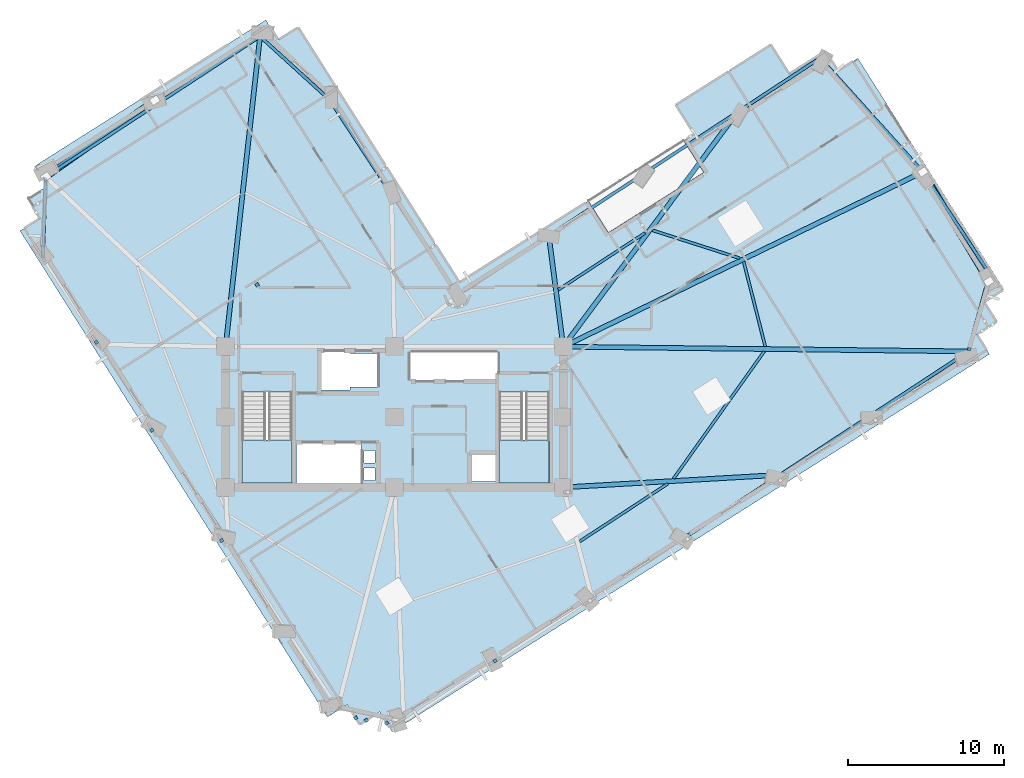
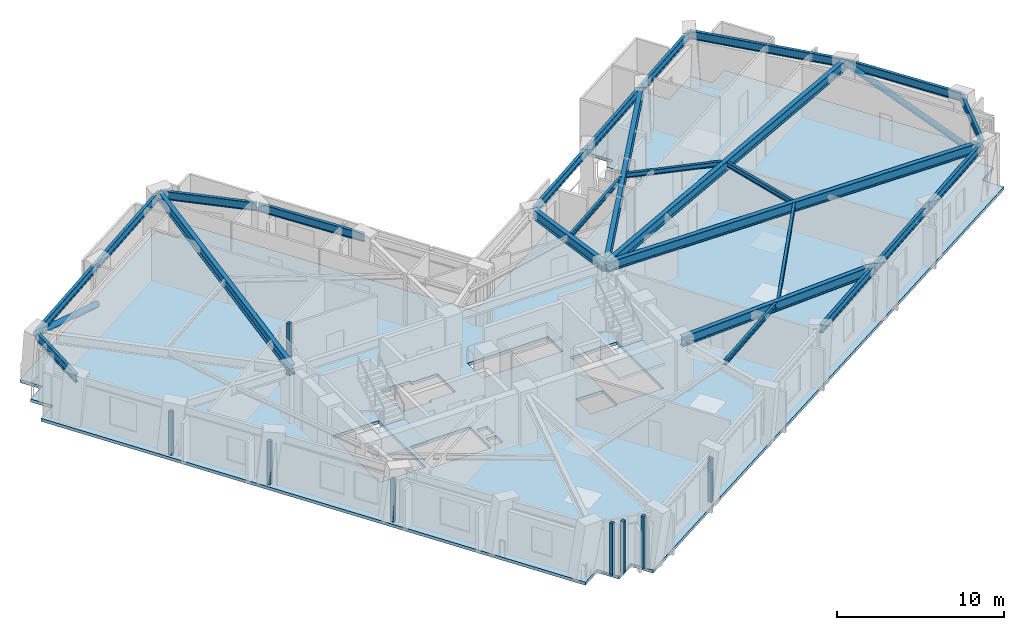
# One storey, part 2 of 14: 25 beams, 8 plates, 3 slabs, 2 members, 2 elements without a shape of their own.
"""IFC4 building model written with IfcOpenShell, lengths in metres."""

from ifc_helpers import new_model, si_unit, direction, frame, origin, origin_2d, place, context, subcontext, project, spatial, polyline, rectangle, hollow_circle, i_section, outline, extrude, material, layer, layer_set, material_profile, profile_set, type_object, element, aggregate, save


model = new_model("IFC4")

# Units and contexts
model_context = context("Model", 3, precision=1e-05, world=origin(), true_north=direction((0.0, 1.0)))
body_context = subcontext(model_context, "Body", "Model", "MODEL_VIEW")
ifc_project = project(units=[si_unit("LENGTHUNIT", "METRE"), si_unit("AREAUNIT", "SQUARE_METRE"), si_unit("VOLUMEUNIT", "CUBIC_METRE"), si_unit("PLANEANGLEUNIT", "RADIAN"), si_unit("MASSUNIT", "GRAM", prefix="KILO")], contexts=[model_context])

# Site, building, storey
site_placement = place(None, origin())
site = spatial("IfcSite", under=ifc_project, at=site_placement, CompositionType="ELEMENT")
building_placement = place(site_placement, origin())
building = spatial("IfcBuilding", under=site, at=building_placement, Name="Gaonmaruhae Medical Tower", CompositionType="ELEMENT")
storey_placement = place(building_placement, frame((0.0, 0.0, 161.800048828125)))
storey = spatial("IfcBuildingStorey", under=building, at=storey_placement, Name="L38", CompositionType="ELEMENT", Elevation=161.800048828125)

# Beams
ifc_material_1 = material(Name="Steel SM355", Category="steel")
ifc_material_profile_1 = material_profile(ifc_material_1, i_section(OverallWidth=0.175048828125, OverallDepth=0.35009765625, WebThickness=0.007080078125, FlangeThickness=0.010986328125, FilletRadius=0.012939453125, at=origin_2d()), Name="H-350x175x7x11")
ifc_profile_set_1 = profile_set([ifc_material_profile_1], Name="Steel SM355")
beam_type_1 = type_object("IfcBeamType", Name="FJ-02 Upper Zone Ward Floor Joist (H-350x175x7x11)", PredefinedType="JOIST", material=ifc_profile_set_1)
beam_1_placement = place(storey_placement, frame((36.65576171875, 4.344970703125, 3.60498046875), z_axis=(0.836290185205, 0.54828708368, 0.0), x_axis=(-0.54828708368, 0.836290185205, 0.0)))
element("IfcBeam", 1, at=beam_1_placement, inside=storey, type_object=beam_type_1, Name="L38 Secondary Floor Joist FJ02", PredefinedType="JOIST", context=body_context, shape_type="SweptSolid", body=[
    extrude(i_section(OverallWidth=0.175048828125, OverallDepth=0.35009765625, WebThickness=0.007080078125, FlangeThickness=0.010986328125, FilletRadius=0.012939453125, at=origin_2d()), origin(), (0.0, 0.0, 1.0), 6.72900390625),
])
beam_2_placement = place(storey_placement, frame((42.65478515625, 8.3642578125, 3.60498046875), z_axis=(0.580430846329, 0.814309543496, 0.0), x_axis=(-0.814309543496, 0.580430846329, 0.0)))
element("IfcBeam", 2, at=beam_2_placement, inside=storey, type_object=beam_type_1, Name="L38 Secondary Floor Joist FJ03", PredefinedType="JOIST", context=body_context, shape_type="SweptSolid", body=[
    extrude(i_section(OverallWidth=0.175048828125, OverallDepth=0.35009765625, WebThickness=0.007080078125, FlangeThickness=0.010986328125, FilletRadius=0.012939453125, at=origin_2d()), origin(), (0.0, 0.0, 1.0), 9.98681640625),
])
beam_3_placement = place(storey_placement, frame((48.52099609375, 16.806396484375, 3.60498046875), z_axis=(-0.24664579023, 0.969105698137, 0.0), x_axis=(-0.969105698137, -0.24664579023, 0.0)))
element("IfcBeam", 3, at=beam_3_placement, inside=storey, type_object=beam_type_1, Name="L38 Secondary Floor Joist FJ04", PredefinedType="JOIST", context=body_context, shape_type="SweptSolid", body=[
    extrude(i_section(OverallWidth=0.175048828125, OverallDepth=0.35009765625, WebThickness=0.007080078125, FlangeThickness=0.010986328125, FilletRadius=0.012939453125, at=origin_2d()), origin(), (0.0, 0.0, 1.0), 5.6015625),
])
beam_4_placement = place(storey_placement, frame((46.8876953125, 22.45703125, 3.60498046875), z_axis=(-0.952302963365, 0.305154167538, 0.0), x_axis=(-0.305154167538, -0.952302963365, 0.0)))
element("IfcBeam", 4, at=beam_4_placement, inside=storey, type_object=beam_type_1, Name="L38 Secondary Floor Joist FJ05", PredefinedType="JOIST", context=body_context, shape_type="SweptSolid", body=[
    extrude(i_section(OverallWidth=0.175048828125, OverallDepth=0.35009765625, WebThickness=0.007080078125, FlangeThickness=0.010986328125, FilletRadius=0.012939453125, at=origin_2d()), origin(), (0.0, 0.0, 1.0), 5.8515625),
])
beam_5_placement = place(storey_placement, frame((40.823486328125, 24.0732421875, 3.60498046875), z_axis=(-0.836271230891, -0.548315993187, 0.0), x_axis=(0.548315993187, -0.836271230891, 0.0)))
element("IfcBeam", 5, at=beam_5_placement, inside=storey, type_object=beam_type_1, Name="L38 Secondary Floor Joist FJ06", PredefinedType="JOIST", context=body_context, shape_type="SweptSolid", body=[
    extrude(i_section(OverallWidth=0.175048828125, OverallDepth=0.35009765625, WebThickness=0.007080078125, FlangeThickness=0.010986328125, FilletRadius=0.012939453125, at=origin_2d()), origin(), (0.0, 0.0, 1.0), 6.626708984375),
])

# Members
ifc_material_2 = material(Name="Steel SM420", Category="steel")
ifc_material_profile_2 = material_profile(ifc_material_2, hollow_circle(Radius=0.203125, WallThickness=0.0126953125, at=origin_2d()), Name="CHS-406.4x12.7")
ifc_profile_set_2 = profile_set([ifc_material_profile_2], Name="Steel SM420")
member_type = type_object("IfcMemberType", Name="PB-02 Perimeter Solid-Bay Tube Brace Mid (CHS-406.4x12.7)", PredefinedType="BRACE", material=ifc_profile_set_2)
member_1_placement = place(storey_placement, frame((62.817626953125, 20.969970703125, 0.25), z_axis=(-0.478556261943, 0.795257276837, 0.372222739489), x_axis=(-0.85682584024, -0.515605934311, 0.0)))
element("IfcMember", 6, at=member_1_placement, inside=storey, type_object=member_type, Name="L38 Perimeter Tube Solid-Bay Brace E01-E02", PredefinedType="BRACE", context=body_context, shape_type="SweptSolid", body=[
    extrude(hollow_circle(Radius=0.203125, WallThickness=0.0126953125, at=origin_2d()), origin(), (0.0, 0.0, 1.0), 8.81201171875),
])
member_2_placement = place(storey_placement, frame((9.471435546875, 32.55712890625, 0.25), z_axis=(-0.764164894557, -0.535919992305, 0.358945366001), x_axis=(0.574184464889, -0.81872596165, 0.0)))
element("IfcMember", 7, at=member_2_placement, inside=storey, type_object=member_type, Name="L38 Perimeter Tube Solid-Bay Brace N02-N03", PredefinedType="BRACE", context=body_context, shape_type="SweptSolid", body=[
    extrude(hollow_circle(Radius=0.203125, WallThickness=0.0126953125, at=origin_2d()), origin(), (0.0, 0.0, 1.0), 9.137939453125),
])

# Beams
ifc_material_profile_3 = material_profile(ifc_material_2, i_section(OverallWidth=0.300048828125, OverallDepth=0.699951171875, WebThickness=0.012939453125, FlangeThickness=0.02392578125, FilletRadius=0.01806640625, at=origin_2d()), Name="H-700x300x13x24")
ifc_profile_set_3 = profile_set([ifc_material_profile_3], Name="Steel SM420")
beam_type_2 = type_object("IfcBeamType", Name="PG-03 Zone 3 Radial Floor Girder (H-700x300x13x24)", PredefinedType="BEAM", material=ifc_profile_set_3)
beam_6_placement = place(storey_placement, frame((35.64990234375, 7.802978515625, 3.429931640625), z_axis=(0.998321741, 0.057911151312, 0.0), x_axis=(-0.057911151312, 0.998321741, 0.0)))
element("IfcBeam", 8, at=beam_6_placement, inside=storey, type_object=beam_type_2, Name="L38 Radial Primary Girder S05", PredefinedType="BEAM", context=body_context, shape_type="SweptSolid", body=[
    extrude(i_section(OverallWidth=0.300048828125, OverallDepth=0.699951171875, WebThickness=0.012939453125, FlangeThickness=0.02392578125, FilletRadius=0.01806640625, at=origin_2d()), origin(), (0.0, 0.0, 1.0), 13.802490234375),
])
beam_7_placement = place(storey_placement, frame((35.64990234375, 16.79931640625, 3.429931640625), z_axis=(0.999933370621, -0.011543583434, 0.0), x_axis=(0.011543583434, 0.999933370621, 0.0)))
element("IfcBeam", 9, at=beam_7_placement, inside=storey, type_object=beam_type_2, Name="L38 Radial Primary Girder S07", PredefinedType="BEAM", context=body_context, shape_type="SweptSolid", body=[
    extrude(i_section(OverallWidth=0.300048828125, OverallDepth=0.699951171875, WebThickness=0.012939453125, FlangeThickness=0.02392578125, FilletRadius=0.01806640625, at=origin_2d()), origin(), (0.0, 0.0, 1.0), 25.823486328125),
])
beam_8_placement = place(storey_placement, frame((35.64501953125, 16.82177734375, 3.429931640625), z_axis=(0.899411711071, 0.437102475385, 0.0), x_axis=(-0.437102475385, 0.899411711071, 0.0)))
element("IfcBeam", 10, at=beam_8_placement, inside=storey, type_object=beam_type_2, Name="L38 Radial Primary Girder E02", PredefinedType="BEAM", context=body_context, shape_type="SweptSolid", body=[
    extrude(i_section(OverallWidth=0.300048828125, OverallDepth=0.699951171875, WebThickness=0.012939453125, FlangeThickness=0.02392578125, FilletRadius=0.01806640625, at=origin_2d()), origin(), (0.0, 0.0, 1.0), 25.472900390625),
])
beam_9_placement = place(storey_placement, frame((35.6298828125, 16.840087890625, 3.409912109375), z_axis=(0.595801217359, 0.803131937725, 0.0), x_axis=(-0.803131937725, 0.595801217359, 0.0)))
element("IfcBeam", 11, at=beam_9_placement, inside=storey, type_object=beam_type_2, Name="L38 Radial Primary Girder EN01", PredefinedType="BEAM", context=body_context, shape_type="SweptSolid", body=[
    extrude(i_section(OverallWidth=0.300048828125, OverallDepth=0.699951171875, WebThickness=0.012939453125, FlangeThickness=0.02392578125, FilletRadius=0.01806640625, at=origin_2d()), origin(), (0.0, 0.0, 1.0), 18.559326171875),
])
beam_10_placement = place(storey_placement, frame((35.593505859375, 16.849609375, 3.429931640625), z_axis=(-0.129402839124, 0.991592106275, 0.0), x_axis=(-0.991592106275, -0.129402839124, 0.0)))
element("IfcBeam", 12, at=beam_10_placement, inside=storey, type_object=beam_type_2, Name="L38 Radial Primary Girder EN03", PredefinedType="BEAM", context=body_context, shape_type="SweptSolid", body=[
    extrude(i_section(OverallWidth=0.300048828125, OverallDepth=0.699951171875, WebThickness=0.012939453125, FlangeThickness=0.02392578125, FilletRadius=0.01806640625, at=origin_2d()), origin(), (0.0, 0.0, 1.0), 7.050537109375),
])
beam_11_placement = place(storey_placement, frame((14.005615234375, 16.849609375, 3.429931640625), z_axis=(0.110314223935, 0.993896761237, 0.0), x_axis=(-0.993896761237, 0.110314223935, 0.0)))
element("IfcBeam", 13, at=beam_11_placement, inside=storey, type_object=beam_type_2, Name="L38 Radial Primary Girder N01", PredefinedType="BEAM", context=body_context, shape_type="SweptSolid", body=[
    extrude(i_section(OverallWidth=0.300048828125, OverallDepth=0.699951171875, WebThickness=0.012939453125, FlangeThickness=0.02392578125, FilletRadius=0.01806640625, at=origin_2d()), origin(), (0.0, 0.0, 1.0), 19.8740234375),
])
ifc_material_profile_4 = material_profile(ifc_material_1, i_section(OverallWidth=0.199951171875, OverallDepth=0.60009765625, WebThickness=0.010986328125, FlangeThickness=0.01708984375, FilletRadius=0.012939453125, at=origin_2d()), Name="H-600x200x11x17")
ifc_profile_set_4 = profile_set([ifc_material_profile_4], Name="Steel SM355")
beam_type_3 = type_object("IfcBeamType", Name="SP-01 Lower Perimeter Spandrel Beam (H-600x200x11x17)", PredefinedType="SPANDREL", material=ifc_profile_set_4)
beam_12_placement = place(storey_placement, frame((43.491455078125, 4.679443359375, 3.47998046875), z_axis=(0.836288185245, 0.548290134162, 0.0), x_axis=(-0.548290134162, 0.836288185245, 0.0)))
element("IfcBeam", 14, at=beam_12_placement, inside=storey, type_object=beam_type_3, Name="L38 Perimeter Spandrel Beam S04-S05", PredefinedType="SPANDREL", context=body_context, shape_type="SweptSolid", body=[
    extrude(i_section(OverallWidth=0.199951171875, OverallDepth=0.60009765625, WebThickness=0.010986328125, FlangeThickness=0.01708984375, FilletRadius=0.012939453125, at=origin_2d()), origin(), (0.0, 0.0, 1.0), 7.119873046875),
])
beam_13_placement = place(storey_placement, frame((49.5126953125, 8.626953125, 3.47998046875), z_axis=(0.836272462452, 0.54831411485, 0.0), x_axis=(-0.54831411485, 0.836272462452, 0.0)))
element("IfcBeam", 15, at=beam_13_placement, inside=storey, type_object=beam_type_3, Name="L38 Perimeter Spandrel Beam S05-S06", PredefinedType="SPANDREL", context=body_context, shape_type="SweptSolid", body=[
    extrude(i_section(OverallWidth=0.199951171875, OverallDepth=0.60009765625, WebThickness=0.010986328125, FlangeThickness=0.01708984375, FilletRadius=0.012939453125, at=origin_2d()), origin(), (0.0, 0.0, 1.0), 7.1201171875),
])
beam_14_placement = place(storey_placement, frame((55.533935546875, 12.57470703125, 3.47998046875), z_axis=(0.836288185245, 0.548290134162, 0.0), x_axis=(-0.548290134162, 0.836288185245, 0.0)))
element("IfcBeam", 16, at=beam_14_placement, inside=storey, type_object=beam_type_3, Name="L38 Perimeter Spandrel Beam S06-S07", PredefinedType="SPANDREL", context=body_context, shape_type="SweptSolid", body=[
    extrude(i_section(OverallWidth=0.199951171875, OverallDepth=0.60009765625, WebThickness=0.010986328125, FlangeThickness=0.01708984375, FilletRadius=0.012939453125, at=origin_2d()), origin(), (0.0, 0.0, 1.0), 7.119873046875),
])
beam_15_placement = place(storey_placement, frame((61.5322265625, 16.5390625, 3.47998046875), z_axis=(0.263913982882, 0.964546219545, 0.0), x_axis=(-0.964546219545, 0.263913982882, 0.0)))
element("IfcBeam", 17, at=beam_15_placement, inside=storey, type_object=beam_type_3, Name="L38 Perimeter Spandrel Beam S07-E01", PredefinedType="SPANDREL", context=body_context, shape_type="SweptSolid", body=[
    extrude(i_section(OverallWidth=0.199951171875, OverallDepth=0.60009765625, WebThickness=0.010986328125, FlangeThickness=0.01708984375, FilletRadius=0.012939453125, at=origin_2d()), origin(), (0.0, 0.0, 1.0), 5.056396484375),
])
beam_16_placement = place(storey_placement, frame((62.855224609375, 21.48828125, 3.47998046875), z_axis=(-0.548283362483, 0.836292624877, 0.0), x_axis=(-0.836292624877, -0.548283362483, 0.0)))
element("IfcBeam", 18, at=beam_16_placement, inside=storey, type_object=beam_type_3, Name="L38 Perimeter Spandrel Beam E01-E02", PredefinedType="SPANDREL", context=body_context, shape_type="SweptSolid", body=[
    extrude(i_section(OverallWidth=0.199951171875, OverallDepth=0.60009765625, WebThickness=0.010986328125, FlangeThickness=0.01708984375, FilletRadius=0.012939453125, at=origin_2d()), origin(), (0.0, 0.0, 1.0), 7.719970703125),
])
beam_17_placement = place(storey_placement, frame((58.57373046875, 28.007568359375, 3.47998046875), z_axis=(-0.669650273925, 0.742676585488, 0.0), x_axis=(-0.742676585488, -0.669650273925, 0.0)))
element("IfcBeam", 19, at=beam_17_placement, inside=storey, type_object=beam_type_3, Name="L38 Perimeter Spandrel Beam E02-E03", PredefinedType="SPANDREL", context=body_context, shape_type="SweptSolid", body=[
    extrude(i_section(OverallWidth=0.199951171875, OverallDepth=0.60009765625, WebThickness=0.010986328125, FlangeThickness=0.01708984375, FilletRadius=0.012939453125, at=origin_2d()), origin(), (0.0, 0.0, 1.0), 9.7353515625),
])
beam_18_placement = place(storey_placement, frame((51.994140625, 35.245361328125, 3.47998046875), z_axis=(-0.8362850527, -0.548294912095, 0.0), x_axis=(0.548294912095, -0.8362850527, 0.0)))
element("IfcBeam", 20, at=beam_18_placement, inside=storey, type_object=beam_type_3, Name="L38 Perimeter Spandrel Beam E03-EN01", PredefinedType="SPANDREL", context=body_context, shape_type="SweptSolid", body=[
    extrude(i_section(OverallWidth=0.199951171875, OverallDepth=0.60009765625, WebThickness=0.010986328125, FlangeThickness=0.01708984375, FilletRadius=0.012939453125, at=origin_2d()), origin(), (0.0, 0.0, 1.0), 6.269775390625),
])
beam_19_placement = place(storey_placement, frame((46.683837890625, 31.763916015625, 3.4599609375), z_axis=(-0.836272462452, -0.54831411485, 0.0), x_axis=(0.54831411485, -0.836272462452, 0.0)))
element("IfcBeam", 21, at=beam_19_placement, inside=storey, type_object=beam_type_3, Name="L38 Perimeter Spandrel Beam EN01-EN02", PredefinedType="SPANDREL", context=body_context, shape_type="SweptSolid", body=[
    extrude(i_section(OverallWidth=0.199951171875, OverallDepth=0.60009765625, WebThickness=0.010986328125, FlangeThickness=0.01708984375, FilletRadius=0.012939453125, at=origin_2d()), origin(), (0.0, 0.0, 1.0), 7.1201171875),
])
for number, where, z_axis, x_axis, name in (
    (22, (40.66259765625, 27.816162109375, 3.4599609375), (-0.836288185245, -0.548290134162, 0.0), (0.548290134162, -0.836288185245, 0.0), "L38 Perimeter Spandrel Beam EN02-EN03"),
    (23, (24.59130859375, 26.594482421875, 3.47998046875), (-0.548290134162, 0.836288185245, 0.0), (-0.836288185245, -0.548290134162, 0.0), "L38 Perimeter Spandrel Beam NE01-NE02"),
):
    element("IfcBeam", number, at=place(storey_placement, frame(where, z_axis=z_axis, x_axis=x_axis)), inside=storey, type_object=beam_type_3, Name=name, PredefinedType="SPANDREL", context=body_context, shape_type="SweptSolid", body=[
        extrude(i_section(OverallWidth=0.199951171875, OverallDepth=0.60009765625, WebThickness=0.010986328125, FlangeThickness=0.01708984375, FilletRadius=0.012939453125, at=origin_2d()), origin(), (0.0, 0.0, 1.0), 7.119873046875),
    ])
beam_20_placement = place(storey_placement, frame((20.635986328125, 32.609130859375, 3.47998046875), z_axis=(-0.738828647955, 0.673893336487, 0.0), x_axis=(-0.673893336487, -0.738828647955, 0.0)))
element("IfcBeam", 24, at=beam_20_placement, inside=storey, type_object=beam_type_3, Name="L38 Perimeter Spandrel Beam NE02-N01", PredefinedType="SPANDREL", context=body_context, shape_type="SweptSolid", body=[
    extrude(i_section(OverallWidth=0.199951171875, OverallDepth=0.60009765625, WebThickness=0.010986328125, FlangeThickness=0.01708984375, FilletRadius=0.012939453125, at=origin_2d()), origin(), (0.0, 0.0, 1.0), 5.959228515625),
])
beam_21_placement = place(storey_placement, frame((16.170166015625, 36.630126953125, 3.47998046875), z_axis=(-0.836290472292, -0.548286645792, 0.0), x_axis=(0.548286645792, -0.836290472292, 0.0)))
element("IfcBeam", 25, at=beam_21_placement, inside=storey, type_object=beam_type_3, Name="L38 Perimeter Spandrel Beam N01-N02", PredefinedType="SPANDREL", context=body_context, shape_type="SweptSolid", body=[
    extrude(i_section(OverallWidth=0.199951171875, OverallDepth=0.60009765625, WebThickness=0.010986328125, FlangeThickness=0.01708984375, FilletRadius=0.012939453125, at=origin_2d()), origin(), (0.0, 0.0, 1.0), 8.1201171875),
])
beam_22_placement = place(storey_placement, frame((9.3125, 32.134033203125, 3.47998046875), z_axis=(-0.836281433512, -0.548300432211, 0.0), x_axis=(0.548300432211, -0.836281433512, 0.0)))
element("IfcBeam", 26, at=beam_22_placement, inside=storey, type_object=beam_type_3, Name="L38 Perimeter Spandrel Beam N02-N03", PredefinedType="SPANDREL", context=body_context, shape_type="SweptSolid", body=[
    extrude(i_section(OverallWidth=0.199951171875, OverallDepth=0.60009765625, WebThickness=0.010986328125, FlangeThickness=0.01708984375, FilletRadius=0.012939453125, at=origin_2d()), origin(), (0.0, 0.0, 1.0), 8.119873046875),
])
beam_23_placement = place(storey_placement, frame((2.487060546875, 27.6201171875, 3.47998046875), z_axis=(-0.034317812795, -0.999410970385, 0.0), x_axis=(0.999410970385, -0.034317812795, 0.0)))
element("IfcBeam", 27, at=beam_23_placement, inside=storey, type_object=beam_type_3, Name="L38 Perimeter Spandrel Beam N03-W01", PredefinedType="SPANDREL", context=body_context, shape_type="SweptSolid", body=[
    extrude(i_section(OverallWidth=0.199951171875, OverallDepth=0.60009765625, WebThickness=0.010986328125, FlangeThickness=0.01708984375, FilletRadius=0.012939453125, at=origin_2d()), origin(), (0.0, 0.0, 1.0), 5.1220703125),
])

# Slab
ifc_material_3 = material(Name="Concrete C40/50", Category="concrete")
ifc_layer_1 = layer(ifc_material_3, 0.219970703125)
ifc_layer_set_1 = layer_set([ifc_layer_1], Name="Concrete C40/50")
slab_type_1 = type_object("IfcSlabType", Name="FS-220 Clinical Ward Composite Floor Slab", PredefinedType="FLOOR", material=ifc_layer_set_1)
slab_1_placement = place(storey_placement, frame((0.0, 0.0, -0.219970703125)))
element("IfcSlab", 28, at=slab_1_placement, inside=storey, type_object=slab_type_1, Name="L38 Structural Slab 1", PredefinedType="FLOOR", context=body_context, shape_type="SweptSolid", body=[
    extrude(outline(polyline([(53.171142578125, 34.451416015625), (54.439208984375, 35.2529296875), (63.790283203125, 20.460693359375), (62.5224609375, 19.6591796875), (63.323974609375, 18.391357421875), (62.055908203125, 17.58984375), (62.857421875, 16.322021484375), (24.651611328125, -7.830810546875), (23.85009765625, -6.56298828125), (22.582275390625, -7.364501953125), (21.78076171875, -6.096435546875), (20.5126953125, -6.898193359375), (0.8486328125, 24.20751953125), (2.11669921875, 25.009033203125), (1.31494140625, 26.277099609375), (2.5830078125, 27.07861328125), (1.781494140625, 28.346435546875), (16.573486328125, 37.697509765625), (17.375, 36.4296875), (18.642822265625, 37.231201171875), (28.955810546875, 20.917724609375), (37.20654296875, 26.133544921875), (38.489013671875, 24.10498046875), (44.57470703125, 27.9521484375), (43.29248046875, 29.980712890625), (43.968505859375, 30.408203125), (42.79296875, 32.267822265625), (48.87890625, 36.115234375), (50.054443359375, 34.255615234375), (52.36962890625, 35.71923828125), (53.171142578125, 34.451416015625)]), holes=[polyline([(23.550048828125, 8.25), (22.85009765625, 8.25), (22.85009765625, 9.050048828125), (23.550048828125, 9.050048828125), (23.550048828125, 8.25)]), polyline([(31.425048828125, 9.925048828125), (31.425048828125, 8.175048828125), (29.574951171875, 8.175048828125), (29.574951171875, 9.925048828125), (31.425048828125, 9.925048828125)]), polyline([(22.64990234375, 10.625), (22.64990234375, 8.074951171875), (18.550048828125, 8.074951171875), (18.550048828125, 10.625), (22.64990234375, 10.625)]), polyline([(23.550048828125, 9.35009765625), (22.85009765625, 9.35009765625), (22.85009765625, 10.14990234375), (23.550048828125, 10.14990234375), (23.550048828125, 9.35009765625)]), polyline([(15.050048828125, 13.889892578125), (18.25, 13.889892578125), (18.25, 8.300048828125), (15.050048828125, 8.300048828125), (15.050048828125, 13.889892578125)]), polyline([(31.5, 13.889892578125), (34.699951171875, 13.889892578125), (34.699951171875, 8.300048828125), (31.5, 8.300048828125), (31.5, 13.889892578125)]), polyline([(21.949951171875, 14.22509765625), (21.949951171875, 14.02490234375), (19.949951171875, 14.02490234375), (19.949951171875, 16.574951171875), (21.949951171875, 16.574951171875), (21.949951171875, 16.375), (23.72509765625, 16.375), (23.72509765625, 14.22509765625), (21.949951171875, 14.22509765625)]), polyline([(31.425048828125, 16.425048828125), (31.425048828125, 14.675048828125), (25.824951171875, 14.675048828125), (25.824951171875, 16.425048828125), (31.425048828125, 16.425048828125)])]), origin(), (0.0, 0.0, 1.0), 0.219970703125),
])

# Plates
ifc_material_4 = material(Name="Anodised aluminium 6063-T6", Category="aluminium")
ifc_layer_2 = layer(ifc_material_4, 0.011962890625)
ifc_layer_set_2 = layer_set([ifc_layer_2], Name="Anodised aluminium 6063-T6")
plate_type = type_object("IfcPlateType", Name="PP-01 Interior Partition Corner Stiffener Plate", PredefinedType="SHEET", material=ifc_layer_set_2)
plate_1_placement = place(storey_placement, frame((22.318603515625, -6.947021484375, 0.0), z_axis=(0.0, 0.0, 1.0), x_axis=(-0.534190060921, 0.84536440593, 0.0)))
element("IfcPlate", 29, at=plate_1_placement, inside=storey, type_object=plate_type, Name="L38 Partition Corner Stiffener Plate PLT-L38-JGP-PW007", PredefinedType="SHEET", context=body_context, shape_type="SweptSolid", body=[
    extrude(rectangle(XDim=0.219970703125, YDim=0.219970703125, at=origin_2d()), origin(), (0.0, 0.0, 1.0), 3.780029296875),
])
plate_2_placement = place(storey_placement, frame((31.23095703125, -3.29345703125, 0.0), z_axis=(0.0, 0.0, 1.0), x_axis=(-0.844916587309, -0.534898084209, 0.0)))
element("IfcPlate", 30, at=plate_2_placement, inside=storey, type_object=plate_type, Name="L38 Partition Corner Stiffener Plate PLT-L38-JGP-PW011", PredefinedType="SHEET", context=body_context, shape_type="SweptSolid", body=[
    extrude(rectangle(XDim=0.219970703125, YDim=0.219970703125, at=origin_2d()), origin(), (0.0, 0.0, 1.0), 3.1650390625),
])
for number, where, z_axis, x_axis, name in (
    (31, (24.302490234375, -7.278076171875, 0.0), (0.0, 0.0, 1.0), (-0.5348390966, 0.844953928181, 0.0), "L38 Partition Corner Stiffener Plate PLT-L38-JGP-PW013"),
    (32, (22.99951171875, -7.1005859375, 0.0), (0.0, 0.0, 1.0), (-0.845653306818, -0.533732596594, 0.0), "L38 Partition Corner Stiffener Plate PLT-L38-JGP-PW014"),
):
    element("IfcPlate", number, at=place(storey_placement, frame(where, z_axis=z_axis, x_axis=x_axis)), inside=storey, type_object=plate_type, Name=name, PredefinedType="SHEET", context=body_context, shape_type="SweptSolid", body=[
        extrude(rectangle(XDim=0.219970703125, YDim=0.219970703125, at=origin_2d()), origin(), (0.0, 0.0, 1.0), 3.780029296875),
    ])
for number, where, z_axis, x_axis, name in (
    (33, (13.744384765625, 4.407470703125, 0.0), (0.0, 0.0, 1.0), (-0.53464736887, 0.845075257572, 0.0), "L38 Partition Corner Stiffener Plate PLT-L38-JGP-PW039"),
    (34, (9.282958984375, 11.465087890625, 0.0), (0.0, 0.0, 1.0), (-0.534529368893, 0.84514990019, 0.0), "L38 Partition Corner Stiffener Plate PLT-L38-JGP-PW040"),
    (35, (5.7294921875, 17.08544921875, 0.0), (0.0, 0.0, 1.0), (-0.534101531638, 0.845420341547, 0.0), "L38 Partition Corner Stiffener Plate PLT-L38-JGP-PW043"),
):
    element("IfcPlate", number, at=place(storey_placement, frame(where, z_axis=z_axis, x_axis=x_axis)), inside=storey, type_object=plate_type, Name=name, PredefinedType="SHEET", context=body_context, shape_type="SweptSolid", body=[
        extrude(rectangle(XDim=0.219970703125, YDim=0.219970703125, at=origin_2d()), origin(), (0.0, 0.0, 1.0), 3.1650390625),
    ])
plate_3_placement = place(storey_placement, frame((16.012451171875, 20.76953125, 0.0), z_axis=(0.0, 0.0, 1.0), x_axis=(-0.533407849697, 0.845858183079, 0.0)))
element("IfcPlate", 36, at=plate_3_placement, inside=storey, type_object=plate_type, Name="L38 Partition Corner Stiffener Plate PLT-L38-JGP-PW097", PredefinedType="SHEET", context=body_context, shape_type="SweptSolid", body=[
    extrude(rectangle(XDim=0.219970703125, YDim=0.219970703125, at=origin_2d()), origin(), (0.0, 0.0, 1.0), 3.780029296875),
])

# Stair, slab
stair_type = type_object("IfcStairType", Name="ST-T1 Primary Core Escape Dogleg Stair", PredefinedType="TWO_QUARTER_TURN_STAIR", material=ifc_material_3)
stair_1_placement = place(storey_placement, origin())
stair_1 = element("IfcStair", 37, at=stair_1_placement, inside=storey, type_object=stair_type, Name="L38 Protected Escape Stair ST-01", PredefinedType="TWO_QUARTER_TURN_STAIR")
ifc_layer_3 = layer(ifc_material_3, 0.199951171875)
ifc_layer_set_3 = layer_set([ifc_layer_3], Name="Concrete C40/50")
slab_type_2 = type_object("IfcSlabType", Name="SL-200 Stair & Ramp Intermediate Concrete Landing", PredefinedType="LANDING", material=ifc_layer_set_3)
slab_2_placement = place(storey_placement, frame((0.0, 0.0, 1.800048828125)))
slab_2 = element("IfcSlab", 38, at=slab_2_placement, type_object=slab_type_2, Name="ST-01 landing 1", PredefinedType="LANDING", context=body_context, shape_type="SweptSolid", body=[
    extrude(outline(polyline([(15.050048828125, 10.820068359375), (15.050048828125, 8.0791015625), (18.25, 8.0791015625), (18.25, 10.820068359375), (15.050048828125, 10.820068359375)])), origin(), (0.0, 0.0, 1.0), 0.199951171875),
])
aggregate(stair_1, [slab_2])

stair_2_placement = place(storey_placement, origin())
stair_2 = element("IfcStair", 39, at=stair_2_placement, inside=storey, type_object=stair_type, Name="L38 Protected Escape Stair ST-02", PredefinedType="TWO_QUARTER_TURN_STAIR")
slab_3_placement = place(storey_placement, frame((0.0, 0.0, 1.800048828125)))
slab_3 = element("IfcSlab", 40, at=slab_3_placement, type_object=slab_type_2, Name="ST-02 landing 1", PredefinedType="LANDING", context=body_context, shape_type="SweptSolid", body=[
    extrude(outline(polyline([(31.5, 10.820068359375), (31.5, 8.0791015625), (34.699951171875, 8.0791015625), (34.699951171875, 10.820068359375), (31.5, 10.820068359375)])), origin(), (0.0, 0.0, 1.0), 0.199951171875),
])
aggregate(stair_2, [slab_3])

save(model, "model.ifc")
